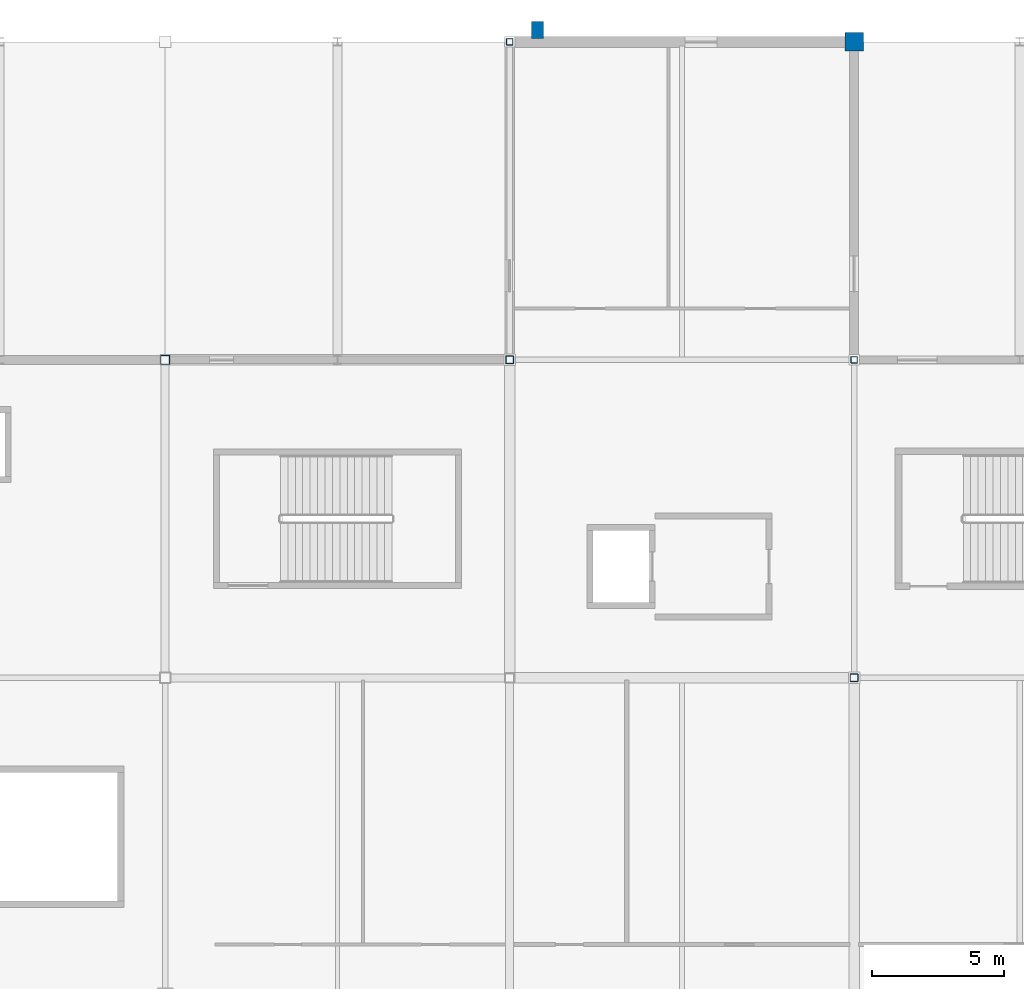
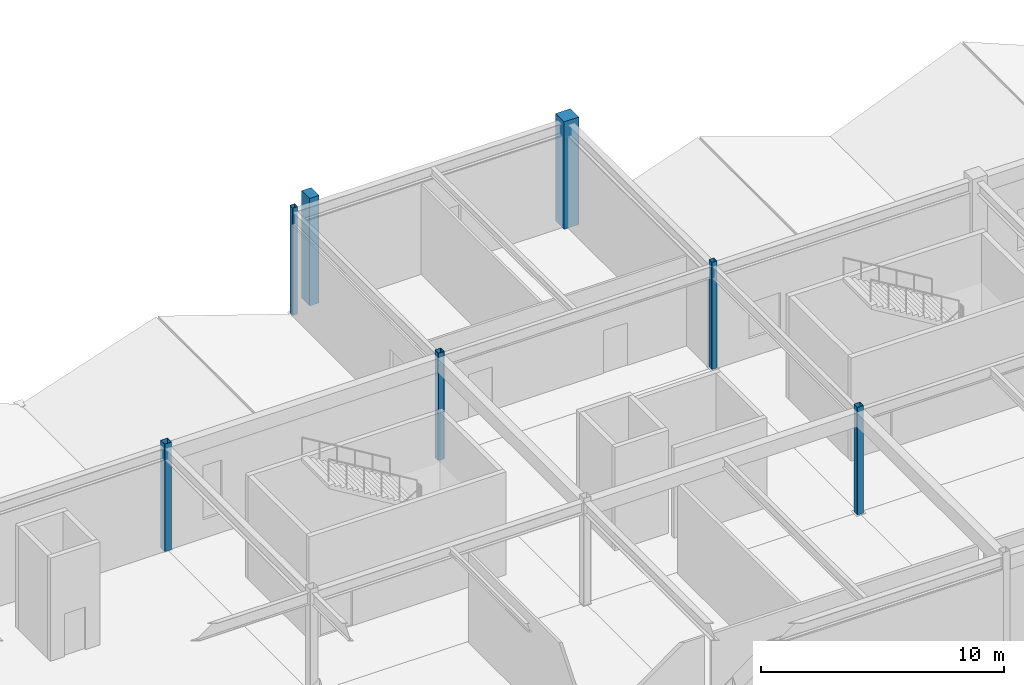
# One storey, part 22 of 105: 7 columns.
"""IFC4 building model written with IfcOpenShell, lengths in metres."""

from ifc_helpers import new_model, si_unit, direction, frame, origin, origin_2d, place, context, subcontext, project, spatial, rectangle, hollow_rectangle, extrude, material, material_profile, profile_set, type_object, element, save


model = new_model("IFC4")

# Units and contexts
model_context = context("Model", 3, precision=1e-05, world=origin(), true_north=direction((0.0, 1.0)))
body_context = subcontext(model_context, "Body", "Model", "MODEL_VIEW")
ifc_project = project(units=[si_unit("LENGTHUNIT", "METRE"), si_unit("AREAUNIT", "SQUARE_METRE"), si_unit("VOLUMEUNIT", "CUBIC_METRE"), si_unit("PLANEANGLEUNIT", "RADIAN"), si_unit("MASSUNIT", "GRAM", prefix="KILO")], contexts=[model_context])

# Site, building, storey
site_placement = place(None, origin())
site = spatial("IfcSite", under=ifc_project, at=site_placement, CompositionType="ELEMENT")
building_placement = place(site_placement, origin())
building = spatial("IfcBuilding", under=site, at=building_placement, Name="Kazenohara Klinker Stadium", CompositionType="ELEMENT")
storey_placement = place(building_placement, frame((0.0, 0.0, 20.39990234375)))
storey = spatial("IfcBuildingStorey", under=building, at=storey_placement, Name="L04", CompositionType="ELEMENT", Elevation=20.39990234375)

# Columns
ifc_material_1 = material(Name="Concrete C40/50", Category="concrete")
ifc_material_profile_1 = material_profile(ifc_material_1, rectangle(XDim=0.699951171875, YDim=0.699951171875, at=origin_2d()), Name="RC-COL-700x700")
ifc_profile_set_1 = profile_set([ifc_material_profile_1], Name="Concrete C40/50")
column_type_1 = type_object("IfcColumnType", Name="COL-RC06", PredefinedType="COLUMN", material=ifc_profile_set_1)
column_1_placement = place(storey_placement, frame((125.0, 168.0, 0.0), z_axis=(0.0, 0.0, 1.0), x_axis=(1.0, 0.0, 0.0)))
element("IfcColumn", 1, at=column_1_placement, inside=storey, type_object=column_type_1, Name="Column C06 L04 11/Q", PredefinedType="COLUMN", context=body_context, shape_type="SweptSolid", body=[
    extrude(rectangle(XDim=0.699951171875, YDim=0.699951171875, at=origin_2d()), origin(), (0.0, 0.0, 1.0), 5.400146484375),
])
ifc_material_2 = material(Name="Steel S355", Category="steel")
ifc_material_profile_2 = material_profile(ifc_material_2, hollow_rectangle(XDim=0.35009765625, YDim=0.35009765625, WallThickness=0.01611328125, InnerFilletRadius=0.01611328125, OuterFilletRadius=0.031982421875, at=origin_2d()), Name="SHS-350x350x16")
ifc_profile_set_2 = profile_set([ifc_material_profile_2], Name="Steel S355")
column_type_2 = type_object("IfcColumnType", Name="COL-ST02", PredefinedType="COLUMN", material=ifc_profile_set_2)
column_2_placement = place(storey_placement, frame((99.0, 156.0, 0.0), z_axis=(0.0, 0.0, 1.0), x_axis=(1.0, 0.0, 0.0)))
element("IfcColumn", 2, at=column_2_placement, inside=storey, type_object=column_type_2, Name="Column SC02 L04 9/P", PredefinedType="COLUMN", context=body_context, shape_type="SweptSolid", body=[
    extrude(hollow_rectangle(XDim=0.35009765625, YDim=0.35009765625, WallThickness=0.01611328125, InnerFilletRadius=0.01611328125, OuterFilletRadius=0.031982421875, at=origin_2d()), origin(), (0.0, 0.0, 1.0), 5.400146484375),
])
ifc_material_profile_3 = material_profile(ifc_material_2, hollow_rectangle(XDim=0.300048828125, YDim=0.300048828125, WallThickness=0.011962890625, InnerFilletRadius=0.011962890625, OuterFilletRadius=0.02392578125, at=origin_2d()), Name="SHS-300x300x12")
ifc_profile_set_3 = profile_set([ifc_material_profile_3], Name="Steel S355")
column_type_3 = type_object("IfcColumnType", Name="COL-ST03", PredefinedType="COLUMN", material=ifc_profile_set_3)
for number, where, z_axis, x_axis, name in (
    (3, (112.0, 156.0, 0.0), (0.0, 0.0, 1.0), (1.0, 0.0, 0.0), "Column SC03 L04 10/P"),
    (4, (125.0, 144.0, 0.0), (0.0, 0.0, 1.0), (1.0, 0.0, 0.0), "Column SC03 L04 11/N"),
):
    element("IfcColumn", number, at=place(storey_placement, frame(where, z_axis=z_axis, x_axis=x_axis)), inside=storey, type_object=column_type_3, Name=name, PredefinedType="COLUMN", context=body_context, shape_type="SweptSolid", body=[
        extrude(hollow_rectangle(XDim=0.300048828125, YDim=0.300048828125, WallThickness=0.011962890625, InnerFilletRadius=0.011962890625, OuterFilletRadius=0.02392578125, at=origin_2d()), origin(), (0.0, 0.0, 1.0), 5.400146484375),
    ])
ifc_material_profile_4 = material_profile(ifc_material_2, hollow_rectangle(XDim=0.25, YDim=0.25, WallThickness=0.011962890625, InnerFilletRadius=0.011962890625, OuterFilletRadius=0.02392578125, at=origin_2d()), Name="SHS-250x250x12")
ifc_profile_set_4 = profile_set([ifc_material_profile_4], Name="Steel S355")
column_type_4 = type_object("IfcColumnType", Name="COL-ST04", PredefinedType="COLUMN", material=ifc_profile_set_4)
for number, where, z_axis, x_axis, name in (
    (5, (112.0, 168.0, 0.0), (0.0, 0.0, 1.0), (1.0, 0.0, 0.0), "Column SC04 L04 10/Q"),
    (6, (125.0, 156.0, 0.0), (0.0, 0.0, 1.0), (1.0, 0.0, 0.0), "Column SC04 L04 11/P"),
):
    element("IfcColumn", number, at=place(storey_placement, frame(where, z_axis=z_axis, x_axis=x_axis)), inside=storey, type_object=column_type_4, Name=name, PredefinedType="COLUMN", context=body_context, shape_type="SweptSolid", body=[
        extrude(hollow_rectangle(XDim=0.25, YDim=0.25, WallThickness=0.011962890625, InnerFilletRadius=0.011962890625, OuterFilletRadius=0.02392578125, at=origin_2d()), origin(), (0.0, 0.0, 1.0), 5.400146484375),
    ])
ifc_material_profile_5 = material_profile(ifc_material_1, rectangle(XDim=0.449951171875, YDim=0.64990234375, at=origin_2d()), Name="RC-PILASTER-450x650")
ifc_profile_set_5 = profile_set([ifc_material_profile_5], Name="Concrete C40/50")
column_type_5 = type_object("IfcColumnType", Name="PIL-RC01", PredefinedType="PILASTER", material=ifc_profile_set_5)
column_3_placement = place(storey_placement, frame((113.050048828125, 168.449951171875, 0.0), z_axis=(0.0, 0.0, 1.0), x_axis=(1.0, 0.0, 0.0)))
element("IfcColumn", 7, at=column_3_placement, inside=storey, type_object=column_type_5, Name="Pleated facade pilaster PL01 L04 North-09", PredefinedType="PILASTER", context=body_context, shape_type="SweptSolid", body=[
    extrude(rectangle(XDim=0.449951171875, YDim=0.64990234375, at=origin_2d()), origin(), (0.0, 0.0, 1.0), 5.400146484375),
])

save(model, "model.ifc")
